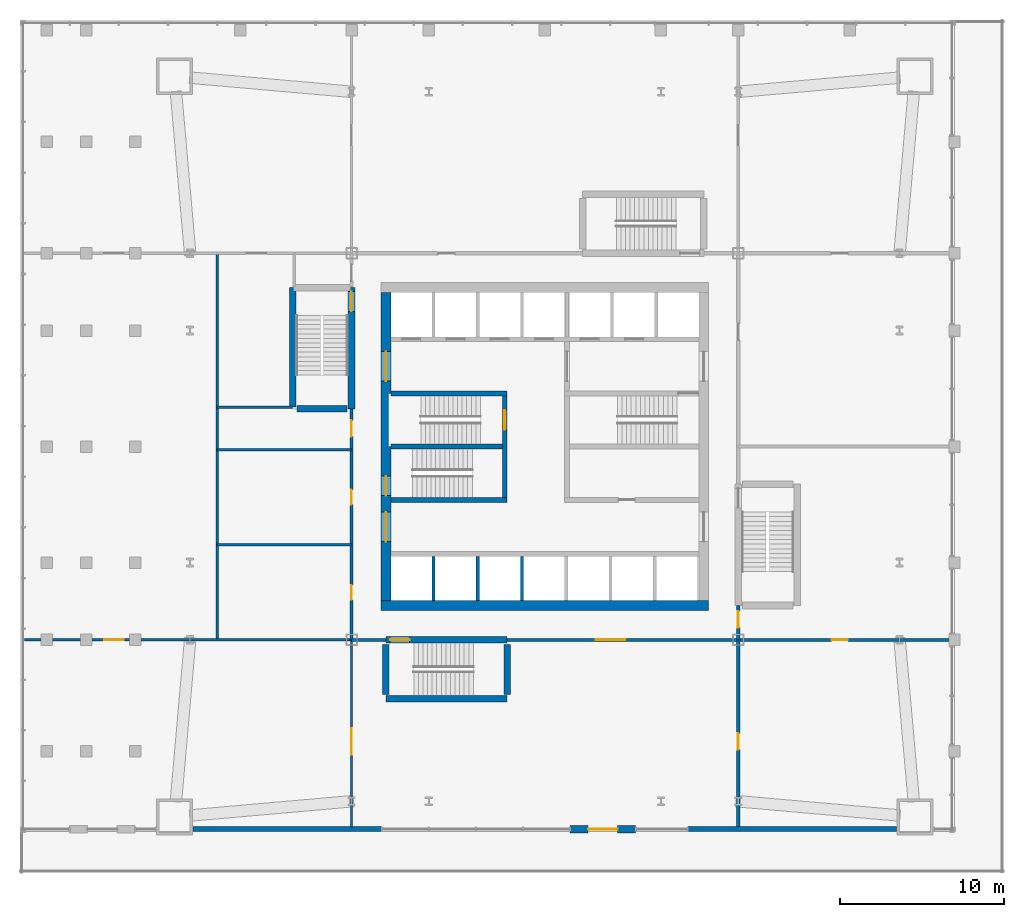
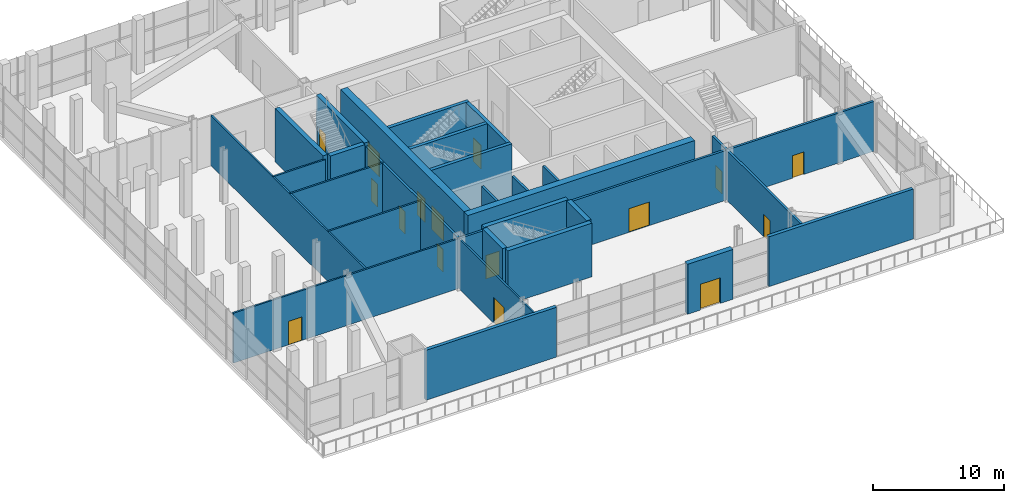
# One storey, part 9 of 12: 31 walls, 16 doors, 16 openings.
"""IFC4 building model written with IfcOpenShell, lengths in metres."""

from ifc_helpers import new_model, si_unit, direction, frame, frame_2d, origin, place, context, subcontext, project, spatial, rectangle, extrude, material, layer, layer_set, type_object, element, fill, save


model = new_model("IFC4")

# Units and contexts
model_context = context("Model", 3, precision=1e-05, world=origin(), true_north=direction((0.0, 1.0)))
body_context = subcontext(model_context, "Body", "Model", "MODEL_VIEW")
ifc_project = project(units=[si_unit("LENGTHUNIT", "METRE"), si_unit("AREAUNIT", "SQUARE_METRE"), si_unit("VOLUMEUNIT", "CUBIC_METRE"), si_unit("PLANEANGLEUNIT", "RADIAN"), si_unit("MASSUNIT", "GRAM", prefix="KILO")], contexts=[model_context])

# Site, building, storey
site_placement = place(None, origin())
site = spatial("IfcSite", under=ifc_project, at=site_placement, CompositionType="ELEMENT")
building_placement = place(site_placement, origin())
building = spatial("IfcBuilding", under=site, at=building_placement, Name="Turquesa Mirador Hotel Tower", CompositionType="ELEMENT")
storey_placement = place(building_placement, frame((0.0, 0.0, 11.0)))
storey = spatial("IfcBuildingStorey", under=building, at=storey_placement, Name="L02", CompositionType="ELEMENT", Elevation=11.0)

# Walls
ifc_material_1 = material(Name="Concrete C50/60", Category="concrete")
ifc_layer_1 = layer(ifc_material_1, 0.300048828125)
ifc_layer_set_1 = layer_set([ifc_layer_1], Name="CORE INNER WALL 300")
wall_type_1 = type_object("IfcWallType", Name="CORE INNER WALL 300", PredefinedType="SHEAR", material=ifc_layer_set_1)
for number, where, z_axis, x_axis, name in (
    (1, (45.60009765625, 48.25, 0.0), (0.0, 0.0, 1.0), (1.0, 0.0, 0.0), "Core wall MN-W"),
    (2, (45.60009765625, 41.75, 0.0), (0.0, 0.0, 1.0), (1.0, 0.0, 0.0), "Core wall MS-W"),
):
    element("IfcWall", number, at=place(storey_placement, frame(where, z_axis=z_axis, x_axis=x_axis)), inside=storey, type_object=wall_type_1, Name=name, PredefinedType="SHEAR", context=body_context, shape_type="SweptSolid", body=[
        extrude(rectangle(XDim=7.099853515625, YDim=0.300048828125, at=frame_2d((3.5498046875, 0.0))), origin(), (0.0, 0.0, 1.0), 5.0),
    ])

# Wall, opening, door
wall_1_placement = place(storey_placement, frame((52.550048828125, 41.89990234375, 0.0), z_axis=(0.0, 0.0, 1.0), x_axis=(0.0, 1.0, 0.0)))
wall_1 = element("IfcWall", 3, at=wall_1_placement, inside=storey, type_object=wall_type_1, Name="Core wall PW", PredefinedType="SHEAR", context=body_context, shape_type="SweptSolid", body=[
    extrude(rectangle(XDim=6.2001953125, YDim=0.300048828125, at=frame_2d((3.10009765625, 0.0))), origin(), (0.0, 0.0, 1.0), 5.0),
])
opening_1_placement = place(wall_1_placement, frame((4.125, 0.0, 0.0)))
opening_1 = element("IfcOpeningElement", 4, at=opening_1_placement, cuts=wall_1, Name="Opening D03", PredefinedType="OPENING", context=body_context, shape_type="SweptSolid", body=[
    extrude(rectangle(XDim=1.199951171875, YDim=2.199951171875, at=frame_2d((0.60009765625, 1.10009765625))), frame((0.0, 0.159912109375, 0.0), z_axis=(0.0, -1.0, 0.0), x_axis=(1.0, 0.0, 0.0)), (0.0, 0.0, 1.0), 0.320068359375),
])
ifc_material_2 = material(Name="Steel fire door", Category="steel")
door_type_1 = type_object("IfcDoorType", Name="DOOR 1200X2200 STAIR", OperationType="SINGLE_SWING_LEFT", PredefinedType="DOOR", material=ifc_material_2)
door_1_placement = place(opening_1_placement, origin())
door_1 = element("IfcDoor", 5, at=door_1_placement, inside=storey, type_object=door_type_1, Name="Stair ST1 door", OperationType="SINGLE_SWING_LEFT", OverallHeight=2.199951171875, OverallWidth=1.199951171875, PredefinedType="DOOR", context=body_context, shape_type="SweptSolid", body=[
    extrude(rectangle(XDim=1.199951171875, YDim=2.199951171875, at=frame_2d((0.60009765625, 1.10009765625))), frame((0.0, 0.02490234375, 0.0), z_axis=(0.0, -1.0, 0.0), x_axis=(1.0, 0.0, 0.0)), (0.0, 0.0, 1.0), 0.050048828125),
])
fill(opening_1, door_1)

# Walls
wall_2_placement = place(storey_placement, frame((45.60009765625, 45.0, 0.0), z_axis=(0.0, 0.0, 1.0), x_axis=(1.0, 0.0, 0.0)))
element("IfcWall", 6, at=wall_2_placement, inside=storey, type_object=wall_type_1, Name="Core wall M0-W", PredefinedType="SHEAR", context=body_context, shape_type="SweptSolid", body=[
    extrude(rectangle(XDim=6.7998046875, YDim=0.300048828125, at=frame_2d((3.39990234375, 0.0))), origin(), (0.0, 0.0, 1.0), 5.0),
])
ifc_material_3 = material(Name="Concrete C50/60", Category="concrete")
ifc_layer_2 = layer(ifc_material_3, 0.60009765625)
ifc_layer_set_2 = layer_set([ifc_layer_2], Name="CORE WALL 600")
wall_type_2 = type_object("IfcWallType", Name="CORE WALL 600", PredefinedType="SHEAR", material=ifc_layer_set_2)
wall_3_placement = place(storey_placement, frame((45.0, 35.300048828125, 0.0), z_axis=(0.0, 0.0, 1.0), x_axis=(1.0, 0.0, 0.0)))
element("IfcWall", 7, at=wall_3_placement, inside=storey, type_object=wall_type_2, Name="Core wall S", PredefinedType="SHEAR", context=body_context, shape_type="SweptSolid", body=[
    extrude(rectangle(XDim=20.0, YDim=0.60009765625, at=frame_2d((10.0, 0.0))), origin(), (0.0, 0.0, 1.0), 5.0),
])

# Wall, openings, doors
wall_4_placement = place(storey_placement, frame((45.300048828125, 35.60009765625, 0.0), z_axis=(0.0, 0.0, 1.0), x_axis=(0.0, 1.0, 0.0)))
wall_4 = element("IfcWall", 8, at=wall_4_placement, inside=storey, type_object=wall_type_2, Name="Core wall W", PredefinedType="SHEAR", context=body_context, shape_type="SweptSolid", body=[
    extrude(rectangle(XDim=18.7998046875, YDim=0.60009765625, at=frame_2d((9.39990234375, 0.0))), origin(), (0.0, 0.0, 1.0), 5.0),
])
opening_2_placement = place(wall_4_placement, frame((13.39990234375, 0.0, 0.0)))
opening_2 = element("IfcOpeningElement", 9, at=opening_2_placement, cuts=wall_4, Name="Opening D04", PredefinedType="OPENING", context=body_context, shape_type="SweptSolid", body=[
    extrude(rectangle(XDim=1.800048828125, YDim=2.199951171875, at=frame_2d((0.89990234375, 1.10009765625))), frame((0.0, 0.31005859375, 0.0), z_axis=(0.0, -1.0, 0.0), x_axis=(1.0, 0.0, 0.0)), (0.0, 0.0, 1.0), 0.6201171875),
])
opening_3_placement = place(wall_4_placement, frame((3.60009765625, 0.0, 0.0)))
opening_3 = element("IfcOpeningElement", 10, at=opening_3_placement, cuts=wall_4, Name="Opening D04", PredefinedType="OPENING", context=body_context, shape_type="SweptSolid", body=[
    extrude(rectangle(XDim=1.800048828125, YDim=2.199951171875, at=frame_2d((0.89990234375, 1.10009765625))), frame((0.0, 0.31005859375, 0.0), z_axis=(0.0, -1.0, 0.0), x_axis=(1.0, 0.0, 0.0)), (0.0, 0.0, 1.0), 0.6201171875),
])
opening_4_placement = place(wall_4_placement, frame((6.39990234375, 0.0, 0.0)))
opening_4 = element("IfcOpeningElement", 11, at=opening_4_placement, cuts=wall_4, Name="Opening D03", PredefinedType="OPENING", context=body_context, shape_type="SweptSolid", body=[
    extrude(rectangle(XDim=1.199951171875, YDim=2.199951171875, at=frame_2d((0.60009765625, 1.10009765625))), frame((0.0, 0.31005859375, 0.0), z_axis=(0.0, -1.0, 0.0), x_axis=(1.0, 0.0, 0.0)), (0.0, 0.0, 1.0), 0.6201171875),
])
door_2_placement = place(opening_4_placement, origin())
door_2 = element("IfcDoor", 12, at=door_2_placement, inside=storey, type_object=door_type_1, Name="Stair ST2 door", OperationType="SINGLE_SWING_LEFT", OverallHeight=2.199951171875, OverallWidth=1.199951171875, PredefinedType="DOOR", context=body_context, shape_type="SweptSolid", body=[
    extrude(rectangle(XDim=1.199951171875, YDim=2.199951171875, at=frame_2d((0.60009765625, 1.10009765625))), frame((0.0, 0.02490234375, 0.0), z_axis=(0.0, -1.0, 0.0), x_axis=(1.0, 0.0, 0.0)), (0.0, 0.0, 1.0), 0.050048828125),
])
fill(opening_4, door_2)
ifc_material_4 = material(Name="Steel fire door pair", Category="steel")
door_type_2 = type_object("IfcDoorType", Name="DOOR 1800X2200 PAIR", OperationType="DOUBLE_DOOR_SINGLE_SWING", PredefinedType="DOOR", material=ifc_material_4)
door_3_placement = place(opening_2_placement, origin())
door_3 = element("IfcDoor", 13, at=door_3_placement, inside=storey, type_object=door_type_2, Name="North lift lobby door", OperationType="DOUBLE_DOOR_SINGLE_SWING", OverallHeight=2.199951171875, OverallWidth=1.800048828125, PredefinedType="DOOR", context=body_context, shape_type="SweptSolid", body=[
    extrude(rectangle(XDim=1.800048828125, YDim=2.199951171875, at=frame_2d((0.89990234375, 1.10009765625))), frame((0.0, 0.02490234375, 0.0), z_axis=(0.0, -1.0, 0.0), x_axis=(1.0, 0.0, 0.0)), (0.0, 0.0, 1.0), 0.050048828125),
])
fill(opening_2, door_3)
door_4_placement = place(opening_3_placement, origin())
door_4 = element("IfcDoor", 14, at=door_4_placement, inside=storey, type_object=door_type_2, Name="South lift lobby door", OperationType="DOUBLE_DOOR_SINGLE_SWING", OverallHeight=2.199951171875, OverallWidth=1.800048828125, PredefinedType="DOOR", context=body_context, shape_type="SweptSolid", body=[
    extrude(rectangle(XDim=1.800048828125, YDim=2.199951171875, at=frame_2d((0.89990234375, 1.10009765625))), frame((0.0, 0.02490234375, 0.0), z_axis=(0.0, -1.0, 0.0), x_axis=(1.0, 0.0, 0.0)), (0.0, 0.0, 1.0), 0.050048828125),
])
fill(opening_3, door_4)

# Wall
ifc_material_5 = material(Name="Fire-rated gypsum board on steel studs", Category="steel")
ifc_layer_3 = layer(ifc_material_5, 0.199951171875)
ifc_layer_set_3 = layer_set([ifc_layer_3], Name="CORRIDOR WALL 200")
wall_type_3 = type_object("IfcWallType", Name="CORRIDOR WALL 200", PredefinedType="PARTITIONING", material=ifc_layer_set_3)
wall_5_placement = place(storey_placement, frame((43.199951171875, 33.199951171875, 0.0), z_axis=(0.0, 0.0, 1.0), x_axis=(1.0, 0.0, 0.0)))
element("IfcWall", 15, at=wall_5_placement, inside=storey, type_object=wall_type_3, Name="Partition L02 002", PredefinedType="PARTITIONING", context=body_context, shape_type="SweptSolid", body=[
    extrude(rectangle(XDim=2.10009765625, YDim=0.199951171875, at=frame_2d((1.050048828125, 0.0))), origin(), (0.0, 0.0, 1.0), 4.64990234375),
])

# Wall, opening, door
wall_6_placement = place(storey_placement, frame((52.699951171875, 33.199951171875, 0.0), z_axis=(0.0, 0.0, 1.0), x_axis=(1.0, 0.0, 0.0)))
wall_6 = element("IfcWall", 16, at=wall_6_placement, inside=storey, type_object=wall_type_3, Name="Partition L02 003", PredefinedType="PARTITIONING", context=body_context, shape_type="SweptSolid", body=[
    extrude(rectangle(XDim=14.10009765625, YDim=0.199951171875, at=frame_2d((7.050048828125, 0.0))), origin(), (0.0, 0.0, 1.0), 4.64990234375),
])
opening_5_placement = place(wall_6_placement, frame((5.39990234375, 0.0, 0.0)))
opening_5 = element("IfcOpeningElement", 17, at=opening_5_placement, cuts=wall_6, Name="Opening D04", PredefinedType="OPENING", context=body_context, shape_type="SweptSolid", body=[
    extrude(rectangle(XDim=1.800048828125, YDim=2.199951171875, at=frame_2d((0.89990234375, 1.10009765625))), frame((0.0, 0.10986328125, 0.0), z_axis=(0.0, -1.0, 0.0), x_axis=(1.0, 0.0, 0.0)), (0.0, 0.0, 1.0), 0.219970703125),
])
door_5_placement = place(opening_5_placement, origin())
door_5 = element("IfcDoor", 18, at=door_5_placement, inside=storey, type_object=door_type_2, Name="Door L02-01", OperationType="DOUBLE_DOOR_SINGLE_SWING", OverallHeight=2.199951171875, OverallWidth=1.800048828125, PredefinedType="DOOR", context=body_context, shape_type="SweptSolid", body=[
    extrude(rectangle(XDim=1.800048828125, YDim=2.199951171875, at=frame_2d((0.89990234375, 1.10009765625))), frame((0.0, 0.02490234375, 0.0), z_axis=(0.0, -1.0, 0.0), x_axis=(1.0, 0.0, 0.0)), (0.0, 0.0, 1.0), 0.050048828125),
])
fill(opening_5, door_5)

# Wall, openings, doors
wall_7_placement = place(storey_placement, frame((43.199951171875, 33.199951171875, 0.0), z_axis=(0.0, 0.0, 1.0), x_axis=(0.0, 1.0, 0.0)))
wall_7 = element("IfcWall", 19, at=wall_7_placement, inside=storey, type_object=wall_type_3, Name="Partition L02 020", PredefinedType="PARTITIONING", context=body_context, shape_type="SweptSolid", body=[
    extrude(rectangle(XDim=14.10009765625, YDim=0.199951171875, at=frame_2d((7.050048828125, 0.0))), origin(), (0.0, 0.0, 1.0), 4.64990234375),
])
opening_6_placement = place(wall_7_placement, frame((12.39990234375, 0.0, 0.0)))
opening_6 = element("IfcOpeningElement", 20, at=opening_6_placement, cuts=wall_7, Name="Opening D07", PredefinedType="OPENING", context=body_context, shape_type="SweptSolid", body=[
    extrude(rectangle(XDim=1.0, YDim=2.10009765625, at=frame_2d((0.5, 1.050048828125))), frame((0.0, 0.10986328125, 0.0), z_axis=(0.0, -1.0, 0.0), x_axis=(1.0, 0.0, 0.0)), (0.0, 0.0, 1.0), 0.219970703125),
])
opening_7_placement = place(wall_7_placement, frame((2.449951171875, 0.0, 0.0)))
opening_7 = element("IfcOpeningElement", 21, at=opening_7_placement, cuts=wall_7, Name="Opening D06", PredefinedType="OPENING", context=body_context, shape_type="SweptSolid", body=[
    extrude(rectangle(XDim=0.89990234375, YDim=2.10009765625, at=frame_2d((0.449951171875, 1.050048828125))), frame((0.0, 0.10986328125, 0.0), z_axis=(0.0, -1.0, 0.0), x_axis=(1.0, 0.0, 0.0)), (0.0, 0.0, 1.0), 0.219970703125),
])
opening_8_placement = place(wall_7_placement, frame((8.25, 0.0, 0.0)))
opening_8 = element("IfcOpeningElement", 22, at=opening_8_placement, cuts=wall_7, Name="Opening D06", PredefinedType="OPENING", context=body_context, shape_type="SweptSolid", body=[
    extrude(rectangle(XDim=0.89990234375, YDim=2.10009765625, at=frame_2d((0.449951171875, 1.050048828125))), frame((0.0, 0.10986328125, 0.0), z_axis=(0.0, -1.0, 0.0), x_axis=(1.0, 0.0, 0.0)), (0.0, 0.0, 1.0), 0.219970703125),
])
ifc_material_6 = material(Name="Laminate sliding door", Category="wood")
door_type_3 = type_object("IfcDoorType", Name="DOOR 1000X2100 ACCESSIBLE WC", OperationType="SLIDING_TO_LEFT", PredefinedType="DOOR", material=ifc_material_6)
door_6_placement = place(opening_6_placement, origin())
door_6 = element("IfcDoor", 23, at=door_6_placement, inside=storey, type_object=door_type_3, Name="Door L02-06", OperationType="SLIDING_TO_LEFT", OverallHeight=2.10009765625, OverallWidth=1.0, PredefinedType="DOOR", context=body_context, shape_type="SweptSolid", body=[
    extrude(rectangle(XDim=1.0, YDim=2.10009765625, at=frame_2d((0.5, 1.050048828125))), frame((0.0, 0.02490234375, 0.0), z_axis=(0.0, -1.0, 0.0), x_axis=(1.0, 0.0, 0.0)), (0.0, 0.0, 1.0), 0.050048828125),
])
fill(opening_6, door_6)
ifc_material_7 = material(Name="Laminate door", Category="wood")
door_type_4 = type_object("IfcDoorType", Name="DOOR 900X2100 WC", OperationType="SINGLE_SWING_LEFT", PredefinedType="DOOR", material=ifc_material_7)
door_7_placement = place(opening_7_placement, origin())
door_7 = element("IfcDoor", 24, at=door_7_placement, inside=storey, type_object=door_type_4, Name="Door L02-04", OperationType="SINGLE_SWING_LEFT", OverallHeight=2.10009765625, OverallWidth=0.89990234375, PredefinedType="DOOR", context=body_context, shape_type="SweptSolid", body=[
    extrude(rectangle(XDim=0.89990234375, YDim=2.10009765625, at=frame_2d((0.449951171875, 1.050048828125))), frame((0.0, 0.02490234375, 0.0), z_axis=(0.0, -1.0, 0.0), x_axis=(1.0, 0.0, 0.0)), (0.0, 0.0, 1.0), 0.050048828125),
])
fill(opening_7, door_7)
door_8_placement = place(opening_8_placement, origin())
door_8 = element("IfcDoor", 25, at=door_8_placement, inside=storey, type_object=door_type_4, Name="Door L02-05", OperationType="SINGLE_SWING_LEFT", OverallHeight=2.10009765625, OverallWidth=0.89990234375, PredefinedType="DOOR", context=body_context, shape_type="SweptSolid", body=[
    extrude(rectangle(XDim=0.89990234375, YDim=2.10009765625, at=frame_2d((0.449951171875, 1.050048828125))), frame((0.0, 0.02490234375, 0.0), z_axis=(0.0, -1.0, 0.0), x_axis=(1.0, 0.0, 0.0)), (0.0, 0.0, 1.0), 0.050048828125),
])
fill(opening_8, door_8)

# Wall, opening, door
wall_8_placement = place(storey_placement, frame((66.800048828125, 33.199951171875, 0.0), z_axis=(0.0, 0.0, 1.0), x_axis=(0.0, 1.0, 0.0)))
wall_8 = element("IfcWall", 26, at=wall_8_placement, inside=storey, type_object=wall_type_3, Name="Partition L02 028", PredefinedType="PARTITIONING", context=body_context, shape_type="SweptSolid", body=[
    extrude(rectangle(XDim=2.10009765625, YDim=0.199951171875, at=frame_2d((1.050048828125, 0.0))), origin(), (0.0, 0.0, 1.0), 4.64990234375),
])
opening_9_placement = place(wall_8_placement, frame((0.75, 0.0, 0.0)))
opening_9 = element("IfcOpeningElement", 27, at=opening_9_placement, cuts=wall_8, Name="Opening D05", PredefinedType="OPENING", context=body_context, shape_type="SweptSolid", body=[
    extrude(rectangle(XDim=1.0, YDim=2.10009765625, at=frame_2d((0.5, 1.050048828125))), frame((0.0, 0.10986328125, 0.0), z_axis=(0.0, -1.0, 0.0), x_axis=(1.0, 0.0, 0.0)), (0.0, 0.0, 1.0), 0.219970703125),
])
ifc_material_8 = material(Name="Steel fire door", Category="steel")
door_type_5 = type_object("IfcDoorType", Name="DOOR 1000X2100 SERVICE", OperationType="SINGLE_SWING_LEFT", PredefinedType="DOOR", material=ifc_material_8)
door_9_placement = place(opening_9_placement, origin())
door_9 = element("IfcDoor", 28, at=door_9_placement, inside=storey, type_object=door_type_5, Name="Door L02-12", OperationType="SINGLE_SWING_LEFT", OverallHeight=2.10009765625, OverallWidth=1.0, PredefinedType="DOOR", context=body_context, shape_type="SweptSolid", body=[
    extrude(rectangle(XDim=1.0, YDim=2.10009765625, at=frame_2d((0.5, 1.050048828125))), frame((0.0, 0.02490234375, 0.0), z_axis=(0.0, -1.0, 0.0), x_axis=(1.0, 0.0, 0.0)), (0.0, 0.0, 1.0), 0.050048828125),
])
fill(opening_9, door_9)

# Walls
ifc_material_9 = material(Name="Limestone cladding on concrete block", Category="masonry")
ifc_layer_4 = layer(ifc_material_9, 0.300048828125)
ifc_layer_set_4 = layer_set([ifc_layer_4], Name="FACADE WALL 300 STONE PIER")
wall_type_4 = type_object("IfcWallType", Name="FACADE WALL 300 STONE PIER", PredefinedType="SOLIDWALL", material=ifc_layer_set_4)
wall_9_placement = place(storey_placement, frame((33.534423828125, 21.64990234375, 0.0), z_axis=(0.0, 0.0, 1.0), x_axis=(1.0, 0.0, 0.0)))
element("IfcWall", 29, at=wall_9_placement, inside=storey, type_object=wall_type_4, Name="Facade wall L02 bay CWP-L02-S2a 00", PredefinedType="SOLIDWALL", context=body_context, shape_type="SweptSolid", body=[
    extrude(rectangle(XDim=11.5029296875, YDim=0.300048828125, at=frame_2d((5.75146484375, 0.0))), origin(), (0.0, 0.0, 1.0), 4.64990234375),
])
wall_10_placement = place(storey_placement, frame((63.72509765625, 21.64990234375, 0.0), z_axis=(0.0, 0.0, 1.0), x_axis=(1.0, 0.0, 0.0)))
element("IfcWall", 30, at=wall_10_placement, inside=storey, type_object=wall_type_4, Name="Facade wall L02 bay CWP-L02-S4 01", PredefinedType="SOLIDWALL", context=body_context, shape_type="SweptSolid", body=[
    extrude(rectangle(XDim=12.740478515625, YDim=0.300048828125, at=frame_2d((6.3701171875, 0.0))), origin(), (0.0, 0.0, 1.0), 4.64990234375),
])

# Wall, opening, door
ifc_material_10 = material(Name="Fire-rated gypsum board on steel studs", Category="steel")
ifc_layer_5 = layer(ifc_material_10, 0.199951171875)
ifc_layer_set_5 = layer_set([ifc_layer_5], Name="FIRE PARTITION 200")
wall_type_5 = type_object("IfcWallType", Name="FIRE PARTITION 200", PredefinedType="PARTITIONING", material=ifc_layer_set_5)
wall_11_placement = place(storey_placement, frame((66.800048828125, 33.199951171875, 0.0), z_axis=(0.0, 0.0, 1.0), x_axis=(1.0, 0.0, 0.0)))
wall_11 = element("IfcWall", 31, at=wall_11_placement, inside=storey, type_object=wall_type_5, Name="Partition L02 004", PredefinedType="PARTITIONING", context=body_context, shape_type="SweptSolid", body=[
    extrude(rectangle(XDim=12.89990234375, YDim=0.199951171875, at=frame_2d((6.449951171875, 0.0))), origin(), (0.0, 0.0, 1.0), 4.64990234375),
])
opening_10_placement = place(wall_11_placement, frame((5.699951171875, 0.0, 0.0)))
opening_10 = element("IfcOpeningElement", 32, at=opening_10_placement, cuts=wall_11, Name="Opening D05", PredefinedType="OPENING", context=body_context, shape_type="SweptSolid", body=[
    extrude(rectangle(XDim=1.0, YDim=2.10009765625, at=frame_2d((0.5, 1.050048828125))), frame((0.0, 0.10986328125, 0.0), z_axis=(0.0, -1.0, 0.0), x_axis=(1.0, 0.0, 0.0)), (0.0, 0.0, 1.0), 0.219970703125),
])
door_10_placement = place(opening_10_placement, origin())
door_10 = element("IfcDoor", 33, at=door_10_placement, inside=storey, type_object=door_type_5, Name="Door L02-03-1", OperationType="SINGLE_SWING_LEFT", OverallHeight=2.10009765625, OverallWidth=1.0, PredefinedType="DOOR", context=body_context, shape_type="SweptSolid", body=[
    extrude(rectangle(XDim=1.0, YDim=2.10009765625, at=frame_2d((0.5, 1.050048828125))), frame((0.0, 0.02490234375, 0.0), z_axis=(0.0, -1.0, 0.0), x_axis=(1.0, 0.0, 0.0)), (0.0, 0.0, 1.0), 0.050048828125),
])
fill(opening_10, door_10)

wall_12_placement = place(storey_placement, frame((66.800048828125, 21.800048828125, 0.0), z_axis=(0.0, 0.0, 1.0), x_axis=(0.0, 1.0, 0.0)))
wall_12 = element("IfcWall", 34, at=wall_12_placement, inside=storey, type_object=wall_type_5, Name="Partition L02 030", PredefinedType="PARTITIONING", context=body_context, shape_type="SweptSolid", body=[
    extrude(rectangle(XDim=11.39990234375, YDim=0.199951171875, at=frame_2d((5.699951171875, 0.0))), origin(), (0.0, 0.0, 1.0), 4.64990234375),
])
opening_11_placement = place(wall_12_placement, frame((4.699951171875, 0.0, 0.0)))
opening_11 = element("IfcOpeningElement", 35, at=opening_11_placement, cuts=wall_12, Name="Opening D05", PredefinedType="OPENING", context=body_context, shape_type="SweptSolid", body=[
    extrude(rectangle(XDim=1.0, YDim=2.10009765625, at=frame_2d((0.5, 1.050048828125))), frame((0.0, 0.10986328125, 0.0), z_axis=(0.0, -1.0, 0.0), x_axis=(1.0, 0.0, 0.0)), (0.0, 0.0, 1.0), 0.219970703125),
])
door_11_placement = place(opening_11_placement, origin())
door_11 = element("IfcDoor", 36, at=door_11_placement, inside=storey, type_object=door_type_5, Name="Door L02-03", OperationType="SINGLE_SWING_LEFT", OverallHeight=2.10009765625, OverallWidth=1.0, PredefinedType="DOOR", context=body_context, shape_type="SweptSolid", body=[
    extrude(rectangle(XDim=1.0, YDim=2.10009765625, at=frame_2d((0.5, 1.050048828125))), frame((0.0, 0.02490234375, 0.0), z_axis=(0.0, -1.0, 0.0), x_axis=(1.0, 0.0, 0.0)), (0.0, 0.0, 1.0), 0.050048828125),
])
fill(opening_11, door_11)

# Walls
ifc_material_11 = material(Name="Fire-rated gypsum shaft wall on steel studs", Category="steel")
ifc_layer_6 = layer(ifc_material_11, 0.199951171875)
ifc_layer_set_6 = layer_set([ifc_layer_6], Name="LIFT SHAFT DIVIDER 200")
wall_type_6 = type_object("IfcWallType", Name="LIFT SHAFT DIVIDER 200", PredefinedType="PARTITIONING", material=ifc_layer_set_6)
for number, where, z_axis, x_axis, name in (
    (37, (48.199951171875, 35.60009765625, 0.0), (0.0, 0.0, 1.0), (0.0, 1.0, 0.0), "Lift shaft divider"),
    (38, (50.89990234375, 35.60009765625, 0.0), (0.0, 0.0, 1.0), (0.0, 1.0, 0.0), "Lift shaft divider"),
    (39, (53.60009765625, 35.60009765625, 0.0), (0.0, 0.0, 1.0), (0.0, 1.0, 0.0), "Lift shaft divider"),
):
    element("IfcWall", number, at=place(storey_placement, frame(where, z_axis=z_axis, x_axis=x_axis)), inside=storey, type_object=wall_type_6, Name=name, PredefinedType="PARTITIONING", context=body_context, shape_type="SweptSolid", body=[
        extrude(rectangle(XDim=2.699951171875, YDim=0.199951171875, at=frame_2d((1.35009765625, 0.0))), origin(), (0.0, 0.0, 1.0), 4.64990234375),
    ])
ifc_material_12 = material(Name="Gypsum board on steel studs", Category="steel")
ifc_layer_7 = layer(ifc_material_12, 0.14990234375)
ifc_layer_set_7 = layer_set([ifc_layer_7], Name="PARTITION 150")
wall_type_7 = type_object("IfcWallType", Name="PARTITION 150", PredefinedType="PARTITIONING", material=ifc_layer_set_7)
wall_13_placement = place(storey_placement, frame((35.0, 44.800048828125, 0.0), z_axis=(0.0, 0.0, 1.0), x_axis=(1.0, 0.0, 0.0)))
element("IfcWall", 40, at=wall_13_placement, inside=storey, type_object=wall_type_7, Name="Partition L02 001", PredefinedType="PARTITIONING", context=body_context, shape_type="SweptSolid", body=[
    extrude(rectangle(XDim=8.199951171875, YDim=0.14990234375, at=frame_2d((4.10009765625, 0.0))), origin(), (0.0, 0.0, 1.0), 4.64990234375),
])

# Wall, opening, door
wall_14_placement = place(storey_placement, frame((23.2548828125, 33.199951171875, 0.0), z_axis=(0.0, 0.0, 1.0), x_axis=(1.0, 0.0, 0.0)))
wall_14 = element("IfcWall", 41, at=wall_14_placement, inside=storey, type_object=wall_type_7, Name="Partition L02 005", PredefinedType="PARTITIONING", context=body_context, shape_type="SweptSolid", body=[
    extrude(rectangle(XDim=19.945068359375, YDim=0.14990234375, at=frame_2d((9.97265625, 0.0))), origin(), (0.0, 0.0, 1.0), 4.64990234375),
])
opening_12_placement = place(wall_14_placement, frame((4.844970703125, 0.0, 0.0)))
opening_12 = element("IfcOpeningElement", 42, at=opening_12_placement, cuts=wall_14, Name="Opening D09", PredefinedType="OPENING", context=body_context, shape_type="SweptSolid", body=[
    extrude(rectangle(XDim=1.199951171875, YDim=2.199951171875, at=frame_2d((0.60009765625, 1.10009765625))), frame((0.0, 0.0849609375, 0.0), z_axis=(0.0, -1.0, 0.0), x_axis=(1.0, 0.0, 0.0)), (0.0, 0.0, 1.0), 0.169921875),
])
ifc_material_13 = material(Name="Timber door", Category="wood")
door_type_6 = type_object("IfcDoorType", Name="DOOR 1200X2200 OFFICE", OperationType="SINGLE_SWING_LEFT", PredefinedType="DOOR", material=ifc_material_13)
door_12_placement = place(opening_12_placement, origin())
door_12 = element("IfcDoor", 43, at=door_12_placement, inside=storey, type_object=door_type_6, Name="Door L02-08", OperationType="SINGLE_SWING_LEFT", OverallHeight=2.199951171875, OverallWidth=1.199951171875, PredefinedType="DOOR", context=body_context, shape_type="SweptSolid", body=[
    extrude(rectangle(XDim=1.199951171875, YDim=2.199951171875, at=frame_2d((0.60009765625, 1.10009765625))), frame((0.0, 0.02490234375, 0.0), z_axis=(0.0, -1.0, 0.0), x_axis=(1.0, 0.0, 0.0)), (0.0, 0.0, 1.0), 0.050048828125),
])
fill(opening_12, door_12)

# Walls
wall_15_placement = place(storey_placement, frame((35.0, 39.0, 0.0), z_axis=(0.0, 0.0, 1.0), x_axis=(1.0, 0.0, 0.0)))
element("IfcWall", 44, at=wall_15_placement, inside=storey, type_object=wall_type_7, Name="Partition L02 009", PredefinedType="PARTITIONING", context=body_context, shape_type="SweptSolid", body=[
    extrude(rectangle(XDim=8.199951171875, YDim=0.14990234375, at=frame_2d((4.10009765625, 0.0))), origin(), (0.0, 0.0, 1.0), 4.64990234375),
])
wall_16_placement = place(storey_placement, frame((35.0, 47.39990234375, 0.0), z_axis=(0.0, 0.0, 1.0), x_axis=(1.0, 0.0, 0.0)))
element("IfcWall", 45, at=wall_16_placement, inside=storey, type_object=wall_type_7, Name="Partition L02 019", PredefinedType="PARTITIONING", context=body_context, shape_type="SweptSolid", body=[
    extrude(rectangle(XDim=4.60009765625, YDim=0.14990234375, at=frame_2d((2.300048828125, 0.0))), origin(), (0.0, 0.0, 1.0), 4.64990234375),
])

# Wall, opening, door
wall_17_placement = place(storey_placement, frame((43.199951171875, 21.7548828125, 0.0), z_axis=(0.0, 0.0, 1.0), x_axis=(0.0, 1.0, 0.0)))
wall_17 = element("IfcWall", 46, at=wall_17_placement, inside=storey, type_object=wall_type_7, Name="Partition L02 021", PredefinedType="PARTITIONING", context=body_context, shape_type="SweptSolid", body=[
    extrude(rectangle(XDim=11.445068359375, YDim=0.14990234375, at=frame_2d((5.72265625, 0.0))), origin(), (0.0, 0.0, 1.0), 4.64990234375),
])
opening_13_placement = place(wall_17_placement, frame((4.445068359375, 0.0, 0.0)))
opening_13 = element("IfcOpeningElement", 47, at=opening_13_placement, cuts=wall_17, Name="Opening D08", PredefinedType="OPENING", context=body_context, shape_type="SweptSolid", body=[
    extrude(rectangle(XDim=1.60009765625, YDim=2.39990234375, at=frame_2d((0.800048828125, 1.199951171875))), frame((0.0, 0.0849609375, 0.0), z_axis=(0.0, -1.0, 0.0), x_axis=(1.0, 0.0, 0.0)), (0.0, 0.0, 1.0), 0.169921875),
])
ifc_material_14 = material(Name="Aluminium glazed door pair", Category="aluminium")
door_type_7 = type_object("IfcDoorType", Name="DOOR 1600X2400 GLAZED PAIR", OperationType="DOUBLE_DOOR_SINGLE_SWING", PredefinedType="DOOR", material=ifc_material_14)
door_13_placement = place(opening_13_placement, origin())
door_13 = element("IfcDoor", 48, at=door_13_placement, inside=storey, type_object=door_type_7, Name="Door L02-02", OperationType="DOUBLE_DOOR_SINGLE_SWING", OverallHeight=2.39990234375, OverallWidth=1.60009765625, PredefinedType="DOOR", context=body_context, shape_type="SweptSolid", body=[
    extrude(rectangle(XDim=1.60009765625, YDim=2.39990234375, at=frame_2d((0.800048828125, 1.199951171875))), frame((0.0, 0.02490234375, 0.0), z_axis=(0.0, -1.0, 0.0), x_axis=(1.0, 0.0, 0.0)), (0.0, 0.0, 1.0), 0.050048828125),
])
fill(opening_13, door_13)

# Wall
wall_18_placement = place(storey_placement, frame((35.0, 33.199951171875, 0.0), z_axis=(0.0, 0.0, 1.0), x_axis=(0.0, 1.0, 0.0)))
element("IfcWall", 49, at=wall_18_placement, inside=storey, type_object=wall_type_7, Name="Partition L02 026", PredefinedType="PARTITIONING", context=body_context, shape_type="SweptSolid", body=[
    extrude(rectangle(XDim=23.60009765625, YDim=0.14990234375, at=frame_2d((11.800048828125, 0.0))), origin(), (0.0, 0.0, 1.0), 4.64990234375),
])

# Wall, opening, door
ifc_material_15 = material(Name="Limestone cladding on concrete block", Category="masonry")
ifc_layer_8 = layer(ifc_material_15, 0.449951171875)
ifc_layer_set_8 = layer_set([ifc_layer_8], Name="PORTAL WALL 450 STONE")
wall_type_8 = type_object("IfcWallType", Name="PORTAL WALL 450 STONE", PredefinedType="SOLIDWALL", material=ifc_layer_set_8)
wall_19_placement = place(storey_placement, frame((56.5400390625, 21.64990234375, 0.0), z_axis=(0.0, 0.0, 1.0), x_axis=(1.0, 0.0, 0.0)))
wall_19 = element("IfcWall", 50, at=wall_19_placement, inside=storey, type_object=wall_type_8, Name="Entrance portal L02", PredefinedType="SOLIDWALL", context=body_context, shape_type="SweptSolid", body=[
    extrude(rectangle(XDim=4.0, YDim=0.449951171875, at=frame_2d((2.0, 0.0))), origin(), (0.0, 0.0, 1.0), 4.64990234375),
])
opening_14_placement = place(wall_19_placement, frame((1.10009765625, 0.0, 0.0)))
opening_14 = element("IfcOpeningElement", 51, at=opening_14_placement, cuts=wall_19, Name="Opening D10", PredefinedType="OPENING", context=body_context, shape_type="SweptSolid", body=[
    extrude(rectangle(XDim=1.800048828125, YDim=2.39990234375, at=frame_2d((0.89990234375, 1.199951171875))), frame((0.0, 0.23486328125, 0.0), z_axis=(0.0, -1.0, 0.0), x_axis=(1.0, 0.0, 0.0)), (0.0, 0.0, 1.0), 0.469970703125),
])
ifc_material_16 = material(Name="Aluminium glazed sliding door", Category="aluminium")
door_type_8 = type_object("IfcDoorType", Name="TERRACE DOOR 1800X2400 GLAZED", OperationType="SLIDING_TO_LEFT", PredefinedType="DOOR", material=ifc_material_16)
door_14_placement = place(opening_14_placement, origin())
door_14 = element("IfcDoor", 52, at=door_14_placement, inside=storey, type_object=door_type_8, Name="External door L02 S", OperationType="SLIDING_TO_LEFT", OverallHeight=2.39990234375, OverallWidth=1.800048828125, PredefinedType="DOOR", context=body_context, shape_type="SweptSolid", body=[
    extrude(rectangle(XDim=1.800048828125, YDim=2.39990234375, at=frame_2d((0.89990234375, 1.199951171875))), frame((0.0, 0.02490234375, 0.0), z_axis=(0.0, -1.0, 0.0), x_axis=(1.0, 0.0, 0.0)), (0.0, 0.0, 1.0), 0.050048828125),
])
fill(opening_14, door_14)

ifc_material_17 = material(Name="Concrete C50/60", Category="concrete")
ifc_layer_9 = layer(ifc_material_17, 0.39990234375)
ifc_layer_set_9 = layer_set([ifc_layer_9], Name="STAIR WALL 400")
wall_type_9 = type_object("IfcWallType", Name="STAIR WALL 400", PredefinedType="SHEAR", material=ifc_layer_set_9)
wall_20_placement = place(storey_placement, frame((45.300048828125, 33.199951171875, 0.0), z_axis=(0.0, 0.0, 1.0), x_axis=(1.0, 0.0, 0.0)))
wall_20 = element("IfcWall", 53, at=wall_20_placement, inside=storey, type_object=wall_type_9, Name="Stair wall L02 006", PredefinedType="SHEAR", context=body_context, shape_type="SweptSolid", body=[
    extrude(rectangle(XDim=7.39990234375, YDim=0.39990234375, at=frame_2d((3.699951171875, 0.0))), origin(), (0.0, 0.0, 1.0), 5.0),
])
opening_15_placement = place(wall_20_placement, frame((0.25, 0.0, 0.0)))
opening_15 = element("IfcOpeningElement", 54, at=opening_15_placement, cuts=wall_20, Name="Opening D03", PredefinedType="OPENING", context=body_context, shape_type="SweptSolid", body=[
    extrude(rectangle(XDim=1.199951171875, YDim=2.199951171875, at=frame_2d((0.60009765625, 1.10009765625))), frame((0.0, 0.2099609375, 0.0), z_axis=(0.0, -1.0, 0.0), x_axis=(1.0, 0.0, 0.0)), (0.0, 0.0, 1.0), 0.419921875),
])
door_15_placement = place(opening_15_placement, origin())
door_15 = element("IfcDoor", 55, at=door_15_placement, inside=storey, type_object=door_type_1, Name="Door L02-PS2", OperationType="SINGLE_SWING_LEFT", OverallHeight=2.199951171875, OverallWidth=1.199951171875, PredefinedType="DOOR", context=body_context, shape_type="SweptSolid", body=[
    extrude(rectangle(XDim=1.199951171875, YDim=2.199951171875, at=frame_2d((0.60009765625, 1.10009765625))), frame((0.0, 0.02490234375, 0.0), z_axis=(0.0, -1.0, 0.0), x_axis=(1.0, 0.0, 0.0)), (0.0, 0.0, 1.0), 0.050048828125),
])
fill(opening_15, door_15)

# Walls
wall_21_placement = place(storey_placement, frame((45.300048828125, 29.60009765625, 0.0), z_axis=(0.0, 0.0, 1.0), x_axis=(1.0, 0.0, 0.0)))
element("IfcWall", 56, at=wall_21_placement, inside=storey, type_object=wall_type_9, Name="Stair wall L02 007", PredefinedType="SHEAR", context=body_context, shape_type="SweptSolid", body=[
    extrude(rectangle(XDim=7.39990234375, YDim=0.39990234375, at=frame_2d((3.699951171875, 0.0))), origin(), (0.0, 0.0, 1.0), 5.0),
])
wall_22_placement = place(storey_placement, frame((39.8701171875, 47.300048828125, 0.0), z_axis=(0.0, 0.0, 1.0), x_axis=(1.0, 0.0, 0.0)))
element("IfcWall", 57, at=wall_22_placement, inside=storey, type_object=wall_type_9, Name="Stair wall L02 018", PredefinedType="SHEAR", context=body_context, shape_type="SweptSolid", body=[
    extrude(rectangle(XDim=3.059814453125, YDim=0.39990234375, at=frame_2d((1.52978515625, 0.0))), origin(), (0.0, 0.0, 1.0), 5.0),
])

# Wall, opening, door
wall_23_placement = place(storey_placement, frame((43.199951171875, 47.300048828125, 0.0), z_axis=(0.0, 0.0, 1.0), x_axis=(0.0, 1.0, 0.0)))
wall_23 = element("IfcWall", 58, at=wall_23_placement, inside=storey, type_object=wall_type_9, Name="Stair wall L02 023", PredefinedType="SHEAR", context=body_context, shape_type="SweptSolid", body=[
    extrude(rectangle(XDim=7.39990234375, YDim=0.39990234375, at=frame_2d((3.699951171875, 0.0))), origin(), (0.0, 0.0, 1.0), 5.0),
])
opening_16_placement = place(wall_23_placement, frame((5.949951171875, 0.0, 0.0)))
opening_16 = element("IfcOpeningElement", 59, at=opening_16_placement, cuts=wall_23, Name="Opening D03", PredefinedType="OPENING", context=body_context, shape_type="SweptSolid", body=[
    extrude(rectangle(XDim=1.199951171875, YDim=2.199951171875, at=frame_2d((0.60009765625, 1.10009765625))), frame((0.0, 0.2099609375, 0.0), z_axis=(0.0, -1.0, 0.0), x_axis=(1.0, 0.0, 0.0)), (0.0, 0.0, 1.0), 0.419921875),
])
door_16_placement = place(opening_16_placement, origin())
door_16 = element("IfcDoor", 60, at=door_16_placement, inside=storey, type_object=door_type_1, Name="Door L02-PS4", OperationType="SINGLE_SWING_LEFT", OverallHeight=2.199951171875, OverallWidth=1.199951171875, PredefinedType="DOOR", context=body_context, shape_type="SweptSolid", body=[
    extrude(rectangle(XDim=1.199951171875, YDim=2.199951171875, at=frame_2d((0.60009765625, 1.10009765625))), frame((0.0, 0.02490234375, 0.0), z_axis=(0.0, -1.0, 0.0), x_axis=(1.0, 0.0, 0.0)), (0.0, 0.0, 1.0), 0.050048828125),
])
fill(opening_16, door_16)

# Walls
wall_24_placement = place(storey_placement, frame((39.60009765625, 47.39990234375, 0.0), z_axis=(0.0, 0.0, 1.0), x_axis=(0.0, 1.0, 0.0)))
element("IfcWall", 61, at=wall_24_placement, inside=storey, type_object=wall_type_9, Name="Stair wall L02 024", PredefinedType="SHEAR", context=body_context, shape_type="SweptSolid", body=[
    extrude(rectangle(XDim=7.300048828125, YDim=0.39990234375, at=frame_2d((3.64990234375, 0.0))), origin(), (0.0, 0.0, 1.0), 5.0),
])
for number, where, z_axis, x_axis, name in (
    (62, (52.699951171875, 29.8701171875, 0.0), (0.0, 0.0, 1.0), (0.0, 1.0, 0.0), "Stair wall L02 025"),
    (63, (45.300048828125, 29.8701171875, 0.0), (0.0, 0.0, 1.0), (0.0, 1.0, 0.0), "Stair wall L02 027"),
):
    element("IfcWall", number, at=place(storey_placement, frame(where, z_axis=z_axis, x_axis=x_axis)), inside=storey, type_object=wall_type_9, Name=name, PredefinedType="SHEAR", context=body_context, shape_type="SweptSolid", body=[
        extrude(rectangle(XDim=3.059814453125, YDim=0.39990234375, at=frame_2d((1.52978515625, 0.0))), origin(), (0.0, 0.0, 1.0), 5.0),
    ])

save(model, "model.ifc")
